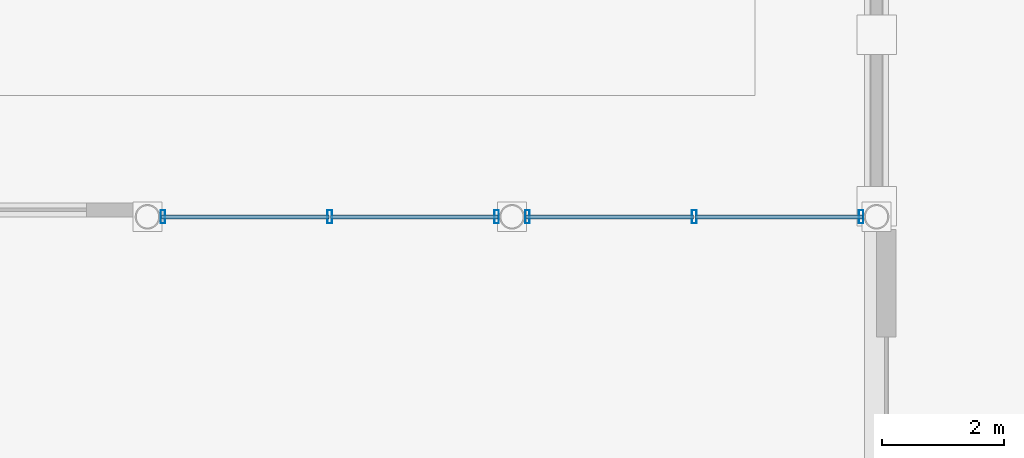
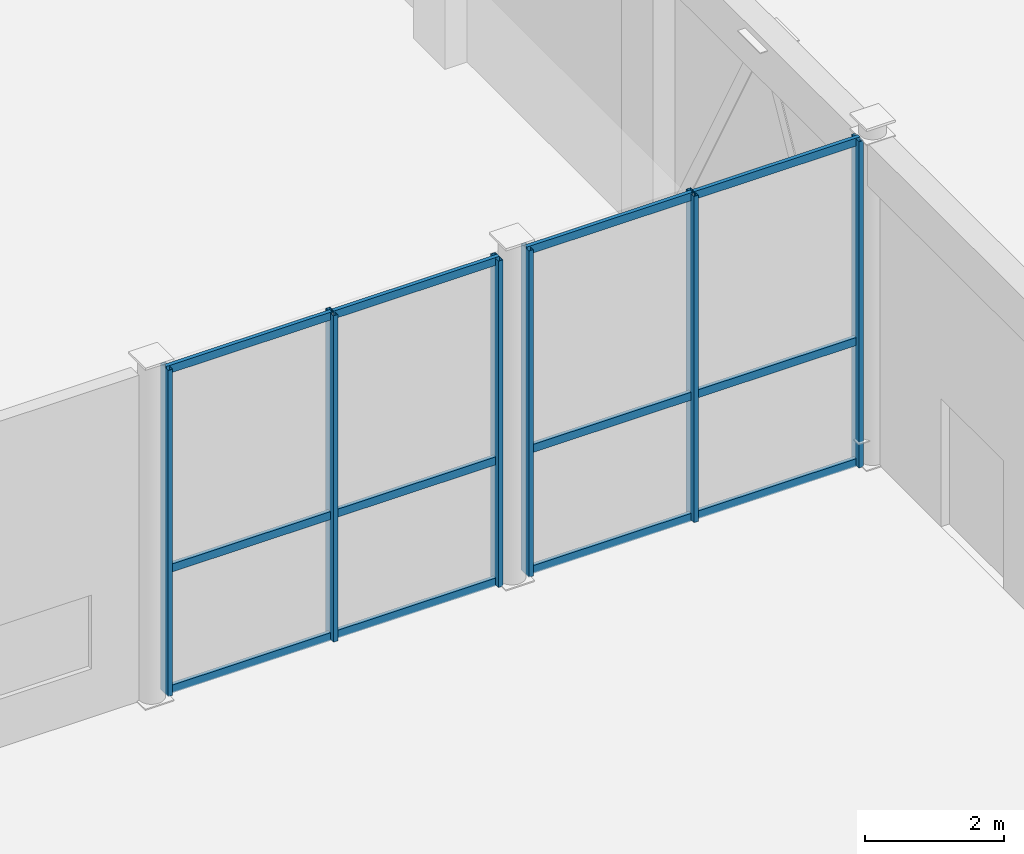
# One storey, part 30 of 106: 18 members, 2 elements without a shape of their own.
"""IFC4 building model written with IfcOpenShell, lengths in metres."""

import ifcopenshell
import ifcopenshell.guid

model = None  # the IFC model being written
_history = None  # IfcOwnerHistory: only IFC2X3 demands one
_inside = {}  # id of a spatial element -> (the spatial element, [elements in it])
_under = {}  # id of a project, library or spatial element -> (it, [spatial elements below it])
_declared = {}  # id of a project -> (the project, [libraries it declares])
_typed = {}  # id of a type object -> (the type object, [elements of that type])
_made_of = {}  # id of a material, layer set ... -> (it, [elements and type objects made of it])


def new_model(schema):
    """Start an empty IFC model of exactly this schema.

    Asked for "IFC4X3", IfcOpenShell would pick the latest addendum, in which some entities
    have other attributes; the version numbers below select the first issue.
    IFC2X3 requires an IfcOwnerHistory on every rooted entity: one is made here for all.
    """
    global model, _history
    if schema == "IFC4X3":
        model = ifcopenshell.file(schema_version=(4, 3, 0, 0))
    else:
        model = ifcopenshell.file(schema=schema)
    _inside.clear()
    _under.clear()
    _declared.clear()
    _typed.clear()
    _made_of.clear()
    _history = None
    if model.schema == "IFC2X3":
        org = make("IfcOrganization", Name="unknown")
        user = make(
            "IfcPersonAndOrganization",
            ThePerson=make("IfcPerson", FamilyName="unknown"),
            TheOrganization=org,
        )
        app = make(
            "IfcApplication",
            ApplicationDeveloper=org,
            Version="unknown",
            ApplicationFullName="unknown",
            ApplicationIdentifier="unknown",
        )
        _history = make(
            "IfcOwnerHistory",
            OwningUser=user,
            OwningApplication=app,
            ChangeAction="ADDED",
            CreationDate=0,
        )
    return model


def make(cls, **values):
    """One entity of the class cls with the attributes given. An attribute that is None is left unset."""
    return model.create_entity(
        cls, **{name: value for name, value in values.items() if value is not None}
    )


def rooted(cls, **values):
    """An entity with a GlobalId (a new one), such as an element, a storey or a relation."""
    return make(cls, GlobalId=ifcopenshell.guid.new(), OwnerHistory=_history, **values)


def si_unit(unit_type, name, prefix=None):
    """IfcSIUnit, for example si_unit("LENGTHUNIT", "METRE", prefix="MILLI")."""
    return make("IfcSIUnit", UnitType=unit_type, Prefix=prefix, Name=name)


def assignment(units):
    """IfcUnitAssignment: the units of a project."""
    return None if units is None else make("IfcUnitAssignment", Units=units)


def point(xyz):
    """IfcCartesianPoint."""
    return None if xyz is None else make("IfcCartesianPoint", Coordinates=xyz)


def direction(xyz):
    """IfcDirection."""
    return None if xyz is None else make("IfcDirection", DirectionRatios=xyz)


def frame(location, z_axis=None, x_axis=None):
    """IfcAxis2Placement3D, a coordinate frame: its origin and axes. An axis left out is left unset."""
    return make(
        "IfcAxis2Placement3D",
        Location=point(location),
        Axis=direction(z_axis),
        RefDirection=direction(x_axis),
    )


def frame_2d(location, x_axis=None):
    """IfcAxis2Placement2D, a coordinate frame in the plane: its origin and x axis."""
    return make(
        "IfcAxis2Placement2D", Location=point(location), RefDirection=direction(x_axis)
    )


def origin():
    """The frame at (0, 0, 0) with its axes left unset."""
    return frame((0.0, 0.0, 0.0))


def origin_2d():
    """The frame at (0, 0) in the plane with its x axis left unset."""
    return frame_2d((0.0, 0.0))


def place(relative_to, where):
    """IfcLocalPlacement: puts the frame where relative to a parent placement (None: the world)."""
    return make(
        "IfcLocalPlacement", PlacementRelTo=relative_to, RelativePlacement=where
    )


def context(
    kind, dimensions, precision=None, world=None, true_north=None, identifier=None
):
    """IfcGeometricRepresentationContext, for example the 3D "Model" context."""
    return make(
        "IfcGeometricRepresentationContext",
        ContextIdentifier=identifier,
        ContextType=kind,
        CoordinateSpaceDimension=dimensions,
        Precision=precision,
        WorldCoordinateSystem=world,
        TrueNorth=true_north,
    )


def subcontext(parent, identifier, kind, view, scale=None):
    """IfcGeometricRepresentationSubContext, for example "Body" below "Model"."""
    return make(
        "IfcGeometricRepresentationSubContext",
        ContextIdentifier=identifier,
        ContextType=kind,
        ParentContext=parent,
        TargetScale=scale,
        TargetView=view,
    )


def project(units=None, contexts=None):
    """IfcProject with its units and contexts."""
    return rooted(
        "IfcProject",
        Name="project",
        RepresentationContexts=contexts,
        UnitsInContext=assignment(units),
    )


def spatial(cls, under=None, at=None, **own):
    """A site, building, storey or space (cls), placed at a placement, below another one or the project."""
    s = rooted(cls, ObjectPlacement=at, **own)
    if under is not None:
        _under.setdefault(under.id(), (under, []))[1].append(s)
    return s


def profile(cls, at=None, kind="AREA", **sizes):
    """A parametric profile (cls). Its sizes go by their IFC names, for example OverallWidth=200.0."""
    return make(cls, ProfileType=kind, Position=at, **sizes)


def hollow_rectangle(**sizes):
    """IfcRectangleHollowProfileDef."""
    return profile("IfcRectangleHollowProfileDef", **sizes)


def extrude(swept, where, along, depth):
    """IfcExtrudedAreaSolid: the profile swept, set in the frame where, extruded along a direction by depth."""
    return make(
        "IfcExtrudedAreaSolid",
        SweptArea=swept,
        Position=where,
        ExtrudedDirection=direction(along),
        Depth=depth,
    )


def shape(context_of_items, identifier, shape_type, items):
    """IfcShapeRepresentation: the items that make up one representation, for example the "Body"."""
    return make(
        "IfcShapeRepresentation",
        ContextOfItems=context_of_items,
        RepresentationIdentifier=identifier,
        RepresentationType=shape_type,
        Items=items,
    )


def material(Name=None, Category=None):
    """IfcMaterial."""
    return make("IfcMaterial", Name=Name, Category=Category)


def material_profile(
    of_material, cross_section, Name=None, Category=None, Priority=None
):
    """IfcMaterialProfile: a cross section and its material."""
    return make(
        "IfcMaterialProfile",
        Name=Name,
        Material=of_material,
        Profile=cross_section,
        Priority=Priority,
        Category=Category,
    )


def profile_set(profiles, Name=None, composite=None):
    """IfcMaterialProfileSet."""
    return make(
        "IfcMaterialProfileSet",
        Name=Name,
        MaterialProfiles=profiles,
        CompositeProfile=composite,
    )


def made_of(thing, what):
    """Note that an element or type object is made of a material, layer set ...; save() writes the relation."""
    if what is not None:
        _made_of.setdefault(what.id(), (what, []))[1].append(thing)
    return thing


def type_object(cls, material=None, **own):
    """A type object (cls), such as IfcWallType, which elements share."""
    return made_of(rooted(cls, **own), material)


def element(
    cls,
    number,
    at=None,
    inside=None,
    cuts=None,
    type_object=None,
    material=None,
    context=None,
    identifier="Body",
    shape_type=None,
    held_by="IfcProductDefinitionShape",
    body=None,
    shapes=None,
    **own,
):
    """One element of the class cls, such as IfcWall. Its Tag is "e" and its number.

    at: its placement. inside: the storey or other place that contains it. cuts: it is an
    opening in that element (IfcRelVoidsElement). A single representation is given by context,
    identifier, shape_type and body (its items); several are given by shapes. held_by: the class
    of the entity that holds the representations. save() writes the other relations.
    """
    e = rooted(cls, Tag="e%d" % number, ObjectPlacement=at, **own)
    if body is not None:
        shapes = [shape(context, identifier, shape_type, body)]
    if shapes is not None:
        e.Representation = make(held_by, Representations=shapes)
    if inside is not None:
        _inside.setdefault(inside.id(), (inside, []))[1].append(e)
    if cuts is not None:
        rooted(
            "IfcRelVoidsElement", RelatingBuildingElement=cuts, RelatedOpeningElement=e
        )
    if type_object is not None:
        _typed.setdefault(type_object.id(), (type_object, []))[1].append(e)
    return made_of(e, material)


def aggregate(whole, parts):
    """IfcRelAggregates: a whole, such as a stair, and the parts it consists of."""
    return rooted("IfcRelAggregates", RelatingObject=whole, RelatedObjects=parts)


def save(model, path):
    """Write the relations noted so far, then the file.

    IfcRelAggregates (storeys below a building ...), IfcRelContainedInSpatialStructure (elements
    in a storey), IfcRelDefinesByType, IfcRelAssociatesMaterial and IfcRelDeclares: one each for
    every whole, place, type object, material and project.
    """
    for whole, parts in _under.values():
        aggregate(whole, parts)
    for where, things in _inside.values():
        rooted(
            "IfcRelContainedInSpatialStructure",
            RelatedElements=things,
            RelatingStructure=where,
        )
    for kind, things in _typed.values():
        rooted("IfcRelDefinesByType", RelatedObjects=things, RelatingType=kind)
    for what, things in _made_of.values():
        rooted("IfcRelAssociatesMaterial", RelatedObjects=things, RelatingMaterial=what)
    for by, libraries in _declared.values():
        rooted("IfcRelDeclares", RelatingContext=by, RelatedDefinitions=libraries)
    model.write(path)


model = new_model("IFC4")

# Units and contexts
model_context = context("Model", 3, precision=1e-05, world=origin(), true_north=direction((0.0, 1.0)))
body_context = subcontext(model_context, "Body", "Model", "MODEL_VIEW")
ifc_project = project(units=[si_unit("LENGTHUNIT", "METRE"), si_unit("AREAUNIT", "SQUARE_METRE"), si_unit("VOLUMEUNIT", "CUBIC_METRE"), si_unit("PLANEANGLEUNIT", "RADIAN"), si_unit("MASSUNIT", "GRAM", prefix="KILO"), si_unit("THERMODYNAMICTEMPERATUREUNIT", "KELVIN"), si_unit("POWERUNIT", "WATT")], contexts=[model_context])

# Site, building, storey
site_placement = place(None, origin())
site = spatial("IfcSite", under=ifc_project, at=site_placement, CompositionType="ELEMENT")
building_placement = place(site_placement, origin())
building = spatial("IfcBuilding", under=site, at=building_placement, Name="Phaisarnlok Congress Hotel", CompositionType="ELEMENT")
storey_placement = place(building_placement, origin())
storey = spatial("IfcBuildingStorey", under=building, at=storey_placement, Name="L00", CompositionType="ELEMENT", Elevation=0.0)

# Curtain wall, members
ifc_material_1 = material(Name="Thermally Broken Unitised Aluminium & Low-E Glazing", Category="aluminium")
curtain_wall_type = type_object("IfcCurtainWallType", Name="CW-UNIT-02", PredefinedType="NOTDEFINED", material=ifc_material_1)
curtain_wall_1_placement = place(storey_placement, origin())
curtain_wall_1 = element("IfcCurtainWall", 1, at=curtain_wall_1_placement, inside=storey, type_object=curtain_wall_type, Name="Unitised curtain wall CW-02 (L00)", PredefinedType="NOTDEFINED")
ifc_material_2 = material(Name="Anodised Aluminium Alloy 6063-T6", Category="aluminium")
ifc_material_profile_1 = material_profile(ifc_material_2, hollow_rectangle(XDim=0.074951171875, YDim=0.219970703125, WallThickness=0.0048828125, at=origin_2d()), Name="ALU-M 75x220x5")
ifc_profile_set_1 = profile_set([ifc_material_profile_1], Name="Anodised Aluminium Alloy 6063-T6")
member_type_1 = type_object("IfcMemberType", Name="CWM-220", PredefinedType="MULLION", material=ifc_profile_set_1)
member_1_placement = place(storey_placement, frame((84.253173828125, 18.0, 0.0), z_axis=(0.0, 0.0, 1.0), x_axis=(1.0, 0.0, 0.0)))
member_1 = element("IfcMember", 2, at=member_1_placement, type_object=member_type_1, Name="Curtain wall mullion CWM-02", PredefinedType="MULLION", context=body_context, shape_type="SweptSolid", body=[
    extrude(hollow_rectangle(XDim=0.074951171875, YDim=0.219970703125, WallThickness=0.0048828125, at=origin_2d()), origin(), (0.0, 0.0, 1.0), 5.739990234375),
])
member_2_placement = place(storey_placement, frame((87.0, 18.0, 0.0), z_axis=(0.0, 0.0, 1.0), x_axis=(1.0, 0.0, 0.0)))
member_2 = element("IfcMember", 3, at=member_2_placement, type_object=member_type_1, Name="Curtain wall mullion CWM-02", PredefinedType="MULLION", context=body_context, shape_type="SweptSolid", body=[
    extrude(hollow_rectangle(XDim=0.074951171875, YDim=0.219970703125, WallThickness=0.0048828125, at=origin_2d()), origin(), (0.0, 0.0, 1.0), 5.739990234375),
])
member_3_placement = place(storey_placement, frame((89.746826171875, 18.0, 0.0), z_axis=(0.0, 0.0, 1.0), x_axis=(1.0, 0.0, 0.0)))
member_3 = element("IfcMember", 4, at=member_3_placement, type_object=member_type_1, Name="Curtain wall mullion CWM-02", PredefinedType="MULLION", context=body_context, shape_type="SweptSolid", body=[
    extrude(hollow_rectangle(XDim=0.074951171875, YDim=0.219970703125, WallThickness=0.0048828125, at=origin_2d()), origin(), (0.0, 0.0, 1.0), 5.739990234375),
])

curtain_wall_2_placement = place(storey_placement, origin())
curtain_wall_2 = element("IfcCurtainWall", 5, at=curtain_wall_2_placement, inside=storey, type_object=curtain_wall_type, Name="Unitised curtain wall CW-02 (L00)", PredefinedType="NOTDEFINED")
member_4_placement = place(storey_placement, frame((90.253173828125, 18.0, 0.0), z_axis=(0.0, 0.0, 1.0), x_axis=(1.0, 0.0, 0.0)))
member_4 = element("IfcMember", 6, at=member_4_placement, type_object=member_type_1, Name="Curtain wall mullion CWM-02", PredefinedType="MULLION", context=body_context, shape_type="SweptSolid", body=[
    extrude(hollow_rectangle(XDim=0.074951171875, YDim=0.219970703125, WallThickness=0.0048828125, at=origin_2d()), origin(), (0.0, 0.0, 1.0), 5.739990234375),
])
member_5_placement = place(storey_placement, frame((93.0, 18.0, 0.0), z_axis=(0.0, 0.0, 1.0), x_axis=(1.0, 0.0, 0.0)))
member_5 = element("IfcMember", 7, at=member_5_placement, type_object=member_type_1, Name="Curtain wall mullion CWM-02", PredefinedType="MULLION", context=body_context, shape_type="SweptSolid", body=[
    extrude(hollow_rectangle(XDim=0.074951171875, YDim=0.219970703125, WallThickness=0.0048828125, at=origin_2d()), origin(), (0.0, 0.0, 1.0), 5.739990234375),
])
member_6_placement = place(storey_placement, frame((95.746826171875, 18.0, 0.0), z_axis=(0.0, 0.0, 1.0), x_axis=(1.0, 0.0, 0.0)))
member_6 = element("IfcMember", 8, at=member_6_placement, type_object=member_type_1, Name="Curtain wall mullion CWM-02", PredefinedType="MULLION", context=body_context, shape_type="SweptSolid", body=[
    extrude(hollow_rectangle(XDim=0.074951171875, YDim=0.219970703125, WallThickness=0.0048828125, at=origin_2d()), origin(), (0.0, 0.0, 1.0), 5.739990234375),
])

# Member
ifc_material_profile_2 = material_profile(ifc_material_2, hollow_rectangle(XDim=0.06494140625, YDim=0.139892578125, WallThickness=0.00390625, at=origin_2d()), Name="ALU-T 65x140x4")
ifc_profile_set_2 = profile_set([ifc_material_profile_2], Name="Anodised Aluminium Alloy 6063-T6")
member_type_2 = type_object("IfcMemberType", Name="CWT-150", PredefinedType="USERDEFINED", material=ifc_profile_set_2)
member_7_placement = place(storey_placement, frame((84.228271484375, 18.0, 0.050048828125), z_axis=(1.0, 0.0, 0.0), x_axis=(0.0, 1.0, 0.0)))
member_7 = element("IfcMember", 9, at=member_7_placement, type_object=member_type_2, Name="Curtain wall transom CWT-01", ObjectType="TRANSOM", PredefinedType="USERDEFINED", context=body_context, shape_type="SweptSolid", body=[
    extrude(hollow_rectangle(XDim=0.06494140625, YDim=0.139892578125, WallThickness=0.00390625, at=origin_2d()), origin(), (0.0, 0.0, 1.0), 2.7568359375),
])

member_8_placement = place(storey_placement, frame((84.228271484375, 18.0, 2.18115234375), z_axis=(1.0, 0.0, 0.0), x_axis=(0.0, 1.0, 0.0)))
member_8 = element("IfcMember", 10, at=member_8_placement, type_object=member_type_2, Name="Curtain wall transom CWT-01", ObjectType="TRANSOM", PredefinedType="USERDEFINED", context=body_context, shape_type="SweptSolid", body=[
    extrude(hollow_rectangle(XDim=0.06494140625, YDim=0.139892578125, WallThickness=0.00390625, at=origin_2d()), origin(), (0.0, 0.0, 1.0), 2.7568359375),
])

member_9_placement = place(storey_placement, frame((84.228271484375, 18.0, 5.68994140625), z_axis=(1.0, 0.0, 0.0), x_axis=(0.0, 1.0, 0.0)))
member_9 = element("IfcMember", 11, at=member_9_placement, type_object=member_type_2, Name="Curtain wall transom CWT-01", ObjectType="TRANSOM", PredefinedType="USERDEFINED", context=body_context, shape_type="SweptSolid", body=[
    extrude(hollow_rectangle(XDim=0.06494140625, YDim=0.139892578125, WallThickness=0.00390625, at=origin_2d()), origin(), (0.0, 0.0, 1.0), 2.7568359375),
])

member_10_placement = place(storey_placement, frame((87.014892578125, 18.0, 0.050048828125), z_axis=(1.0, 0.0, 0.0), x_axis=(0.0, 1.0, 0.0)))
member_10 = element("IfcMember", 12, at=member_10_placement, type_object=member_type_2, Name="Curtain wall transom CWT-01", ObjectType="TRANSOM", PredefinedType="USERDEFINED", context=body_context, shape_type="SweptSolid", body=[
    extrude(hollow_rectangle(XDim=0.06494140625, YDim=0.139892578125, WallThickness=0.00390625, at=origin_2d()), origin(), (0.0, 0.0, 1.0), 2.7568359375),
])

member_11_placement = place(storey_placement, frame((87.014892578125, 18.0, 2.18115234375), z_axis=(1.0, 0.0, 0.0), x_axis=(0.0, 1.0, 0.0)))
member_11 = element("IfcMember", 13, at=member_11_placement, type_object=member_type_2, Name="Curtain wall transom CWT-01", ObjectType="TRANSOM", PredefinedType="USERDEFINED", context=body_context, shape_type="SweptSolid", body=[
    extrude(hollow_rectangle(XDim=0.06494140625, YDim=0.139892578125, WallThickness=0.00390625, at=origin_2d()), origin(), (0.0, 0.0, 1.0), 2.7568359375),
])

member_12_placement = place(storey_placement, frame((87.014892578125, 18.0, 5.68994140625), z_axis=(1.0, 0.0, 0.0), x_axis=(0.0, 1.0, 0.0)))
member_12 = element("IfcMember", 14, at=member_12_placement, type_object=member_type_2, Name="Curtain wall transom CWT-01", ObjectType="TRANSOM", PredefinedType="USERDEFINED", context=body_context, shape_type="SweptSolid", body=[
    extrude(hollow_rectangle(XDim=0.06494140625, YDim=0.139892578125, WallThickness=0.00390625, at=origin_2d()), origin(), (0.0, 0.0, 1.0), 2.7568359375),
])

aggregate(curtain_wall_1, [member_1, member_2, member_3, member_7, member_8, member_9, member_10, member_11, member_12])

member_13_placement = place(storey_placement, frame((90.228271484375, 18.0, 0.050048828125), z_axis=(1.0, 0.0, 0.0), x_axis=(0.0, 1.0, 0.0)))
member_13 = element("IfcMember", 15, at=member_13_placement, type_object=member_type_2, Name="Curtain wall transom CWT-01", ObjectType="TRANSOM", PredefinedType="USERDEFINED", context=body_context, shape_type="SweptSolid", body=[
    extrude(hollow_rectangle(XDim=0.06494140625, YDim=0.139892578125, WallThickness=0.00390625, at=origin_2d()), origin(), (0.0, 0.0, 1.0), 2.7568359375),
])

member_14_placement = place(storey_placement, frame((90.228271484375, 18.0, 2.18115234375), z_axis=(1.0, 0.0, 0.0), x_axis=(0.0, 1.0, 0.0)))
member_14 = element("IfcMember", 16, at=member_14_placement, type_object=member_type_2, Name="Curtain wall transom CWT-01", ObjectType="TRANSOM", PredefinedType="USERDEFINED", context=body_context, shape_type="SweptSolid", body=[
    extrude(hollow_rectangle(XDim=0.06494140625, YDim=0.139892578125, WallThickness=0.00390625, at=origin_2d()), origin(), (0.0, 0.0, 1.0), 2.7568359375),
])

member_15_placement = place(storey_placement, frame((90.228271484375, 18.0, 5.68994140625), z_axis=(1.0, 0.0, 0.0), x_axis=(0.0, 1.0, 0.0)))
member_15 = element("IfcMember", 17, at=member_15_placement, type_object=member_type_2, Name="Curtain wall transom CWT-01", ObjectType="TRANSOM", PredefinedType="USERDEFINED", context=body_context, shape_type="SweptSolid", body=[
    extrude(hollow_rectangle(XDim=0.06494140625, YDim=0.139892578125, WallThickness=0.00390625, at=origin_2d()), origin(), (0.0, 0.0, 1.0), 2.7568359375),
])

member_16_placement = place(storey_placement, frame((93.014892578125, 18.0, 0.050048828125), z_axis=(1.0, 0.0, 0.0), x_axis=(0.0, 1.0, 0.0)))
member_16 = element("IfcMember", 18, at=member_16_placement, type_object=member_type_2, Name="Curtain wall transom CWT-01", ObjectType="TRANSOM", PredefinedType="USERDEFINED", context=body_context, shape_type="SweptSolid", body=[
    extrude(hollow_rectangle(XDim=0.06494140625, YDim=0.139892578125, WallThickness=0.00390625, at=origin_2d()), origin(), (0.0, 0.0, 1.0), 2.7568359375),
])

member_17_placement = place(storey_placement, frame((93.014892578125, 18.0, 2.18115234375), z_axis=(1.0, 0.0, 0.0), x_axis=(0.0, 1.0, 0.0)))
member_17 = element("IfcMember", 19, at=member_17_placement, type_object=member_type_2, Name="Curtain wall transom CWT-01", ObjectType="TRANSOM", PredefinedType="USERDEFINED", context=body_context, shape_type="SweptSolid", body=[
    extrude(hollow_rectangle(XDim=0.06494140625, YDim=0.139892578125, WallThickness=0.00390625, at=origin_2d()), origin(), (0.0, 0.0, 1.0), 2.7568359375),
])

member_18_placement = place(storey_placement, frame((93.014892578125, 18.0, 5.68994140625), z_axis=(1.0, 0.0, 0.0), x_axis=(0.0, 1.0, 0.0)))
member_18 = element("IfcMember", 20, at=member_18_placement, type_object=member_type_2, Name="Curtain wall transom CWT-01", ObjectType="TRANSOM", PredefinedType="USERDEFINED", context=body_context, shape_type="SweptSolid", body=[
    extrude(hollow_rectangle(XDim=0.06494140625, YDim=0.139892578125, WallThickness=0.00390625, at=origin_2d()), origin(), (0.0, 0.0, 1.0), 2.7568359375),
])

aggregate(curtain_wall_2, [member_4, member_5, member_6, member_13, member_14, member_15, member_16, member_17, member_18])

save(model, "model.ifc")
